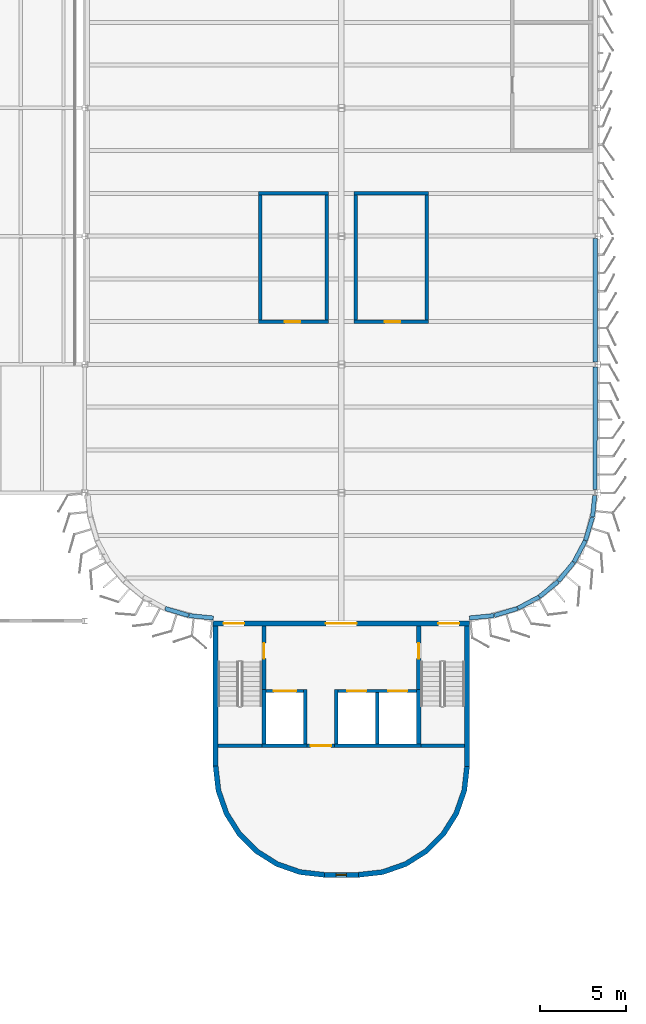
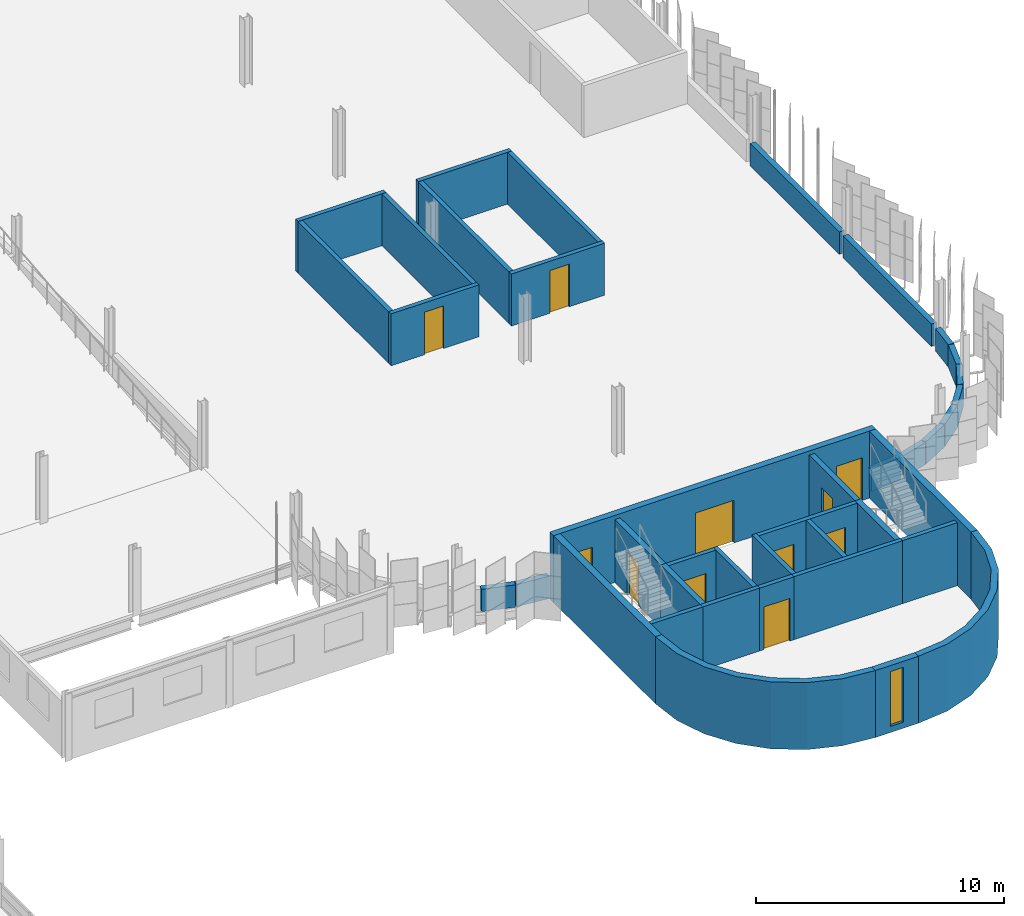
# One storey, part 75 of 214: 40 walls, 11 doors, 1 window, 12 openings.
"""IFC4 building model written with IfcOpenShell, lengths in metres."""

from ifc_helpers import new_model, si_unit, direction, frame, frame_2d, origin, place, context, subcontext, project, spatial, polyline, rectangle, outline, extrude, material, layer, layer_set, type_object, element, fill, save


model = new_model("IFC4")

# Units and contexts
model_context = context("Model", 3, precision=1e-05, world=origin(), true_north=direction((0.0, 1.0)))
body_context = subcontext(model_context, "Body", "Model", "MODEL_VIEW")
ifc_project = project(units=[si_unit("LENGTHUNIT", "METRE"), si_unit("AREAUNIT", "SQUARE_METRE"), si_unit("VOLUMEUNIT", "CUBIC_METRE"), si_unit("PLANEANGLEUNIT", "RADIAN"), si_unit("MASSUNIT", "GRAM", prefix="KILO")], contexts=[model_context])

# Site, building, storey
site_placement = place(None, origin())
site = spatial("IfcSite", under=ifc_project, at=site_placement, CompositionType="ELEMENT")
building_placement = place(site_placement, origin())
building = spatial("IfcBuilding", under=site, at=building_placement, Name="Parallax Yard Mobility Hub", CompositionType="ELEMENT")
storey_placement = place(building_placement, frame((0.0, 0.0, 3.300048828125)))
storey = spatial("IfcBuildingStorey", under=building, at=storey_placement, Name="L01", CompositionType="ELEMENT", Elevation=3.300048828125)

# Wall, openings, doors
ifc_material_1 = material(Name="Concrete fc' 35 MPa", Category="concrete")
ifc_layer_1 = layer(ifc_material_1, 0.300048828125)
ifc_layer_set_1 = layer_set([ifc_layer_1], Name="Concrete fc' 35 MPa core wall 300")
wall_type_1 = type_object("IfcWallType", Name="Concrete fc' 35 MPa core wall 300", PredefinedType="SHEAR", material=ifc_layer_set_1)
wall_1_placement = place(storey_placement, frame((202.5, 22.35009765625, 0.0), z_axis=(0.0, 0.0, 1.0), x_axis=(1.0, 0.0, 0.0)))
wall_1 = element("IfcWall", 1, at=wall_1_placement, inside=storey, type_object=wall_type_1, Name="Core C-S entry wall level L01", PredefinedType="SHEAR", context=body_context, shape_type="SweptSolid", body=[
    extrude(rectangle(XDim=15.0, YDim=0.300048828125, at=frame_2d((7.5, 0.0))), origin(), (0.0, 0.0, 1.0), 3.300048828125),
])
opening_1_placement = place(wall_1_placement, frame((13.179931640625, 0.0, 0.0)))
opening_1 = element("IfcOpeningElement", 2, at=opening_1_placement, cuts=wall_1, Name="Opening L01-D724", PredefinedType="OPENING", context=body_context, shape_type="SweptSolid", body=[
    extrude(rectangle(XDim=1.199951171875, YDim=2.10009765625, at=frame_2d((0.60009765625, 1.050048828125))), frame((0.0, 0.16015625, 0.0), z_axis=(0.0, -1.0, 0.0), x_axis=(1.0, 0.0, 0.0)), (0.0, 0.0, 1.0), 0.320068359375),
])
opening_2_placement = place(wall_1_placement, frame((0.6201171875, 0.0, 0.0)))
opening_2 = element("IfcOpeningElement", 3, at=opening_2_placement, cuts=wall_1, Name="Opening L01-D725", PredefinedType="OPENING", context=body_context, shape_type="SweptSolid", body=[
    extrude(rectangle(XDim=1.199951171875, YDim=2.10009765625, at=frame_2d((0.60009765625, 1.050048828125))), frame((0.0, 0.16015625, 0.0), z_axis=(0.0, -1.0, 0.0), x_axis=(1.0, 0.0, 0.0)), (0.0, 0.0, 1.0), 0.320068359375),
])
opening_3_placement = place(wall_1_placement, frame((6.60009765625, 0.0, 0.0)))
opening_3 = element("IfcOpeningElement", 4, at=opening_3_placement, cuts=wall_1, Name="Opening L01-D726", PredefinedType="OPENING", context=body_context, shape_type="SweptSolid", body=[
    extrude(rectangle(XDim=1.800048828125, YDim=2.10009765625, at=frame_2d((0.89990234375, 1.050048828125))), frame((0.0, 0.16015625, 0.0), z_axis=(0.0, -1.0, 0.0), x_axis=(1.0, 0.0, 0.0)), (0.0, 0.0, 1.0), 0.320068359375),
])
ifc_material_2 = material(Name="Hollow metal steel door and frame", Category="steel")
door_type_1 = type_object("IfcDoorType", Name="Core door 1200 x 2100 FD90", OperationType="NOTDEFINED", PredefinedType="DOOR", material=ifc_material_2)
door_1_placement = place(opening_1_placement, origin())
door_1 = element("IfcDoor", 5, at=door_1_placement, inside=storey, type_object=door_type_1, Name="Stair deck door L01-D724, core C-S level L01", OperationType="SINGLE_SWING_RIGHT", OverallHeight=2.10009765625, OverallWidth=1.199951171875, PredefinedType="DOOR", context=body_context, shape_type="SweptSolid", body=[
    extrude(rectangle(XDim=1.199951171875, YDim=2.10009765625, at=frame_2d((0.60009765625, 1.050048828125))), frame((0.0, 0.02490234375, 0.0), z_axis=(0.0, -1.0, 0.0), x_axis=(1.0, 0.0, 0.0)), (0.0, 0.0, 1.0), 0.050048828125),
])
fill(opening_1, door_1)
door_2_placement = place(opening_2_placement, origin())
door_2 = element("IfcDoor", 6, at=door_2_placement, inside=storey, type_object=door_type_1, Name="Stair deck door L01-D725, core C-S level L01", OperationType="SINGLE_SWING_LEFT", OverallHeight=2.10009765625, OverallWidth=1.199951171875, PredefinedType="DOOR", context=body_context, shape_type="SweptSolid", body=[
    extrude(rectangle(XDim=1.199951171875, YDim=2.10009765625, at=frame_2d((0.60009765625, 1.050048828125))), frame((0.0, 0.02490234375, 0.0), z_axis=(0.0, -1.0, 0.0), x_axis=(1.0, 0.0, 0.0)), (0.0, 0.0, 1.0), 0.050048828125),
])
fill(opening_2, door_2)
door_type_2 = type_object("IfcDoorType", Name="Core double door 1800 x 2100 FD90", OperationType="NOTDEFINED", PredefinedType="DOOR", material=ifc_material_2)
door_3_placement = place(opening_3_placement, origin())
door_3 = element("IfcDoor", 7, at=door_3_placement, inside=storey, type_object=door_type_2, Name="Lift lobby door L01-D726, core C-S level L01", OperationType="DOUBLE_DOOR_SINGLE_SWING", OverallHeight=2.10009765625, OverallWidth=1.800048828125, PredefinedType="DOOR", context=body_context, shape_type="SweptSolid", body=[
    extrude(rectangle(XDim=1.800048828125, YDim=2.10009765625, at=frame_2d((0.89990234375, 1.050048828125))), frame((0.0, 0.02490234375, 0.0), z_axis=(0.0, -1.0, 0.0), x_axis=(1.0, 0.0, 0.0)), (0.0, 0.0, 1.0), 0.050048828125),
])
fill(opening_3, door_3)

# Wall, opening, window
wall_2_placement = place(storey_placement, frame((211.0, 7.64990234375, 0.0), z_axis=(0.0, 0.0, 1.0), x_axis=(-1.0, 0.0, 0.0)))
wall_2 = element("IfcWall", 8, at=wall_2_placement, inside=storey, type_object=wall_type_1, Name="Core C-S back wall level L01", PredefinedType="SHEAR", context=body_context, shape_type="SweptSolid", body=[
    extrude(rectangle(XDim=2.0, YDim=0.300048828125, at=frame_2d((1.0, 0.0))), origin(), (0.0, 0.0, 1.0), 3.300048828125),
])
opening_4_placement = place(wall_2_placement, frame((0.699951171875, 0.0, 0.300048828125)))
opening_4 = element("IfcOpeningElement", 9, at=opening_4_placement, cuts=wall_2, Name="Opening CW-S1", PredefinedType="OPENING", context=body_context, shape_type="SweptSolid", body=[
    extrude(rectangle(XDim=0.60009765625, YDim=2.699951171875, at=frame_2d((0.300048828125, 1.35009765625))), frame((0.0, 0.16015625, 0.0), z_axis=(0.0, -1.0, 0.0), x_axis=(1.0, 0.0, 0.0)), (0.0, 0.0, 1.0), 0.320068359375),
])
ifc_material_3 = material(Name="Fire-resisting glazing in a steel frame", Category="steel")
window_type = type_object("IfcWindowType", Name="Core slot window 600 x 2700", PartitioningType="SINGLE_PANEL", PredefinedType="WINDOW", material=ifc_material_3)
window_placement = place(opening_4_placement, origin())
window = element("IfcWindow", 10, at=window_placement, inside=storey, type_object=window_type, Name="Glazed slot 1, core C-S level L01", OverallHeight=2.699951171875, OverallWidth=0.60009765625, PartitioningType="SINGLE_PANEL", PredefinedType="WINDOW", context=body_context, shape_type="SweptSolid", body=[
    extrude(rectangle(XDim=0.60009765625, YDim=2.699951171875, at=frame_2d((0.300048828125, 1.35009765625))), frame((0.0, 0.030029296875, 0.0), z_axis=(0.0, -1.0, 0.0), x_axis=(1.0, 0.0, 0.0)), (0.0, 0.0, 1.0), 0.06005859375),
])
fill(opening_4, window)

# Walls
for number, where, z_axis, x_axis, name in (
    (11, (217.35009765625, 22.199951171875, 0.0), (0.0, 0.0, 1.0), (0.0, -1.0, 0.0), "Core C-S west-side end wall level L01"),
    (12, (202.64990234375, 14.0, 0.0), (0.0, 0.0, 1.0), (0.0, 1.0, 0.0), "Core C-S east-side end wall level L01"),
):
    element("IfcWall", number, at=place(storey_placement, frame(where, z_axis=z_axis, x_axis=x_axis)), inside=storey, type_object=wall_type_1, Name=name, PredefinedType="SHEAR", context=body_context, shape_type="SweptSolid", body=[
        extrude(rectangle(XDim=8.199951171875, YDim=0.300048828125, at=frame_2d((4.10009765625, 0.0))), origin(), (0.0, 0.0, 1.0), 3.300048828125),
    ])
wall_3_placement = place(storey_placement, origin())
element("IfcWall", 13, at=wall_3_placement, inside=storey, type_object=wall_type_1, Name="Core C-S rounded corner west level L01", PredefinedType="SHEAR", context=body_context, shape_type="SweptSolid", body=[
    extrude(outline(polyline([(217.5, 14.0), (217.3369140625, 12.5537109375), (216.856201171875, 11.1796875), (216.081787109375, 9.947265625), (215.052734375, 8.918212890625), (213.8203125, 8.143798828125), (212.4462890625, 7.6630859375), (211.0, 7.5), (211.0, 7.800048828125), (212.379638671875, 7.955322265625), (213.690185546875, 8.4140625), (214.865478515625, 9.152587890625), (215.847412109375, 10.134521484375), (216.5859375, 11.309814453125), (217.044677734375, 12.620361328125), (217.199951171875, 14.0), (217.5, 14.0)])), origin(), (0.0, 0.0, 1.0), 3.300048828125),
])
wall_4_placement = place(storey_placement, origin())
element("IfcWall", 14, at=wall_4_placement, inside=storey, type_object=wall_type_1, Name="Core C-S rounded corner east level L01", PredefinedType="SHEAR", context=body_context, shape_type="SweptSolid", body=[
    extrude(outline(polyline([(202.5, 14.0), (202.6630859375, 12.5537109375), (203.143798828125, 11.1796875), (203.918212890625, 9.947265625), (204.947265625, 8.918212890625), (206.1796875, 8.143798828125), (207.5537109375, 7.6630859375), (209.0, 7.5), (209.0, 7.800048828125), (207.620361328125, 7.955322265625), (206.309814453125, 8.4140625), (205.134521484375, 9.152587890625), (204.152587890625, 10.134521484375), (203.4140625, 11.309814453125), (202.955322265625, 12.620361328125), (202.800048828125, 14.0), (202.5, 14.0)])), origin(), (0.0, 0.0, 1.0), 3.300048828125),
])

# Wall, openings, doors
ifc_layer_2 = layer(ifc_material_1, 0.199951171875)
ifc_layer_set_2 = layer_set([ifc_layer_2], Name="Concrete fc' 35 MPa internal core wall 200")
wall_type_2 = type_object("IfcWallType", Name="Concrete fc' 35 MPa internal core wall 200", PredefinedType="STANDARD", material=ifc_layer_set_2)
wall_5_placement = place(storey_placement, frame((214.39990234375, 18.39990234375, 0.0), z_axis=(0.0, 0.0, 1.0), x_axis=(-1.0, 0.0, 0.0)))
wall_5 = element("IfcWall", 15, at=wall_5_placement, inside=storey, type_object=wall_type_2, Name="Core C-S lift front 1 part 1 level L01", PredefinedType="STANDARD", context=body_context, shape_type="SweptSolid", body=[
    extrude(rectangle(XDim=4.599853515625, YDim=0.199951171875, at=frame_2d((2.2998046875, 0.0))), origin(), (0.0, 0.0, 1.0), 3.099853515625),
])
opening_5_placement = place(wall_5_placement, frame((0.550048828125, 0.0, 0.0)))
opening_5 = element("IfcOpeningElement", 16, at=opening_5_placement, cuts=wall_5, Name="Opening L01-D729", PredefinedType="OPENING", context=body_context, shape_type="SweptSolid", body=[
    extrude(rectangle(XDim=1.10009765625, YDim=2.10009765625, at=frame_2d((0.550048828125, 1.050048828125))), frame((0.0, 0.10986328125, 0.0), z_axis=(0.0, -1.0, 0.0), x_axis=(1.0, 0.0, 0.0)), (0.0, 0.0, 1.0), 0.219970703125),
])
opening_6_placement = place(wall_5_placement, frame((2.949951171875, 0.0, 0.0)))
opening_6 = element("IfcOpeningElement", 17, at=opening_6_placement, cuts=wall_5, Name="Opening L01-D730", PredefinedType="OPENING", context=body_context, shape_type="SweptSolid", body=[
    extrude(rectangle(XDim=1.10009765625, YDim=2.10009765625, at=frame_2d((0.550048828125, 1.050048828125))), frame((0.0, 0.10986328125, 0.0), z_axis=(0.0, -1.0, 0.0), x_axis=(1.0, 0.0, 0.0)), (0.0, 0.0, 1.0), 0.219970703125),
])
ifc_material_4 = material(Name="Stainless steel sliding door and frame", Category="steel")
door_type_3 = type_object("IfcDoorType", Name="Lift landing door 1100 x 2100 FD90", OperationType="DOUBLE_DOOR_SLIDING", PredefinedType="DOOR", material=ifc_material_4)
door_4_placement = place(opening_5_placement, origin())
door_4 = element("IfcDoor", 18, at=door_4_placement, inside=storey, type_object=door_type_3, Name="Lift landing door L01-D729, core C-S level L01", OperationType="DOUBLE_DOOR_SLIDING", OverallHeight=2.10009765625, OverallWidth=1.10009765625, PredefinedType="DOOR", context=body_context, shape_type="SweptSolid", body=[
    extrude(rectangle(XDim=1.10009765625, YDim=2.10009765625, at=frame_2d((0.550048828125, 1.050048828125))), frame((0.0, 0.02490234375, 0.0), z_axis=(0.0, -1.0, 0.0), x_axis=(1.0, 0.0, 0.0)), (0.0, 0.0, 1.0), 0.050048828125),
])
fill(opening_5, door_4)
door_5_placement = place(opening_6_placement, origin())
door_5 = element("IfcDoor", 19, at=door_5_placement, inside=storey, type_object=door_type_3, Name="Lift landing door L01-D730, core C-S level L01", OperationType="DOUBLE_DOOR_SLIDING", OverallHeight=2.10009765625, OverallWidth=1.10009765625, PredefinedType="DOOR", context=body_context, shape_type="SweptSolid", body=[
    extrude(rectangle(XDim=1.10009765625, YDim=2.10009765625, at=frame_2d((0.550048828125, 1.050048828125))), frame((0.0, 0.02490234375, 0.0), z_axis=(0.0, -1.0, 0.0), x_axis=(1.0, 0.0, 0.0)), (0.0, 0.0, 1.0), 0.050048828125),
])
fill(opening_6, door_5)

# Wall, opening, door
wall_6_placement = place(storey_placement, frame((207.800048828125, 18.39990234375, 0.0), z_axis=(0.0, 0.0, 1.0), x_axis=(-1.0, 0.0, 0.0)))
wall_6 = element("IfcWall", 20, at=wall_6_placement, inside=storey, type_object=wall_type_2, Name="Core C-S lift front 2 part 2 level L01", PredefinedType="STANDARD", context=body_context, shape_type="SweptSolid", body=[
    extrude(rectangle(XDim=2.199951171875, YDim=0.199951171875, at=frame_2d((1.10009765625, 0.0))), origin(), (0.0, 0.0, 1.0), 3.099853515625),
])
opening_7_placement = place(wall_6_placement, frame((0.449951171875, 0.0, 0.0)))
opening_7 = element("IfcOpeningElement", 21, at=opening_7_placement, cuts=wall_6, Name="Opening L01-D731", PredefinedType="OPENING", context=body_context, shape_type="SweptSolid", body=[
    extrude(rectangle(XDim=1.300048828125, YDim=2.10009765625, at=frame_2d((0.64990234375, 1.050048828125))), frame((0.0, 0.10986328125, 0.0), z_axis=(0.0, -1.0, 0.0), x_axis=(1.0, 0.0, 0.0)), (0.0, 0.0, 1.0), 0.219970703125),
])
door_type_4 = type_object("IfcDoorType", Name="Goods lift landing door 1300 x 2100 FD90", OperationType="DOUBLE_DOOR_SLIDING", PredefinedType="DOOR", material=ifc_material_4)
door_6_placement = place(opening_7_placement, origin())
door_6 = element("IfcDoor", 22, at=door_6_placement, inside=storey, type_object=door_type_4, Name="Lift landing door L01-D731, core C-S level L01", OperationType="DOUBLE_DOOR_SLIDING", OverallHeight=2.10009765625, OverallWidth=1.300048828125, PredefinedType="DOOR", context=body_context, shape_type="SweptSolid", body=[
    extrude(rectangle(XDim=1.300048828125, YDim=2.10009765625, at=frame_2d((0.64990234375, 1.050048828125))), frame((0.0, 0.02490234375, 0.0), z_axis=(0.0, -1.0, 0.0), x_axis=(1.0, 0.0, 0.0)), (0.0, 0.0, 1.0), 0.050048828125),
])
fill(opening_7, door_6)

# Walls
wall_7_placement = place(storey_placement, frame((212.10009765625, 18.300048828125, 0.0), z_axis=(0.0, 0.0, 1.0), x_axis=(0.0, -1.0, 0.0)))
element("IfcWall", 23, at=wall_7_placement, inside=storey, type_object=wall_type_2, Name="Core C-S lift wall 1 part 1 level L01", PredefinedType="STANDARD", context=body_context, shape_type="SweptSolid", body=[
    extrude(rectangle(XDim=3.0, YDim=0.199951171875, at=frame_2d((1.5, 0.0))), origin(), (0.0, 0.0, 1.0), 3.099853515625),
])
for number, where, z_axis, x_axis, name in (
    (24, (209.699951171875, 18.5, 0.0), (0.0, 0.0, 1.0), (0.0, -1.0, 0.0), "Core C-S lift wall 2 part 2 level L01"),
    (25, (207.89990234375, 18.5, 0.0), (0.0, 0.0, 1.0), (0.0, -1.0, 0.0), "Core C-S lift wall 3 part 3 level L01"),
):
    element("IfcWall", number, at=place(storey_placement, frame(where, z_axis=z_axis, x_axis=x_axis)), inside=storey, type_object=wall_type_2, Name=name, PredefinedType="STANDARD", context=body_context, shape_type="SweptSolid", body=[
        extrude(rectangle(XDim=3.199951171875, YDim=0.199951171875, at=frame_2d((1.60009765625, 0.0))), origin(), (0.0, 0.0, 1.0), 3.099853515625),
    ])
wall_8_placement = place(storey_placement, frame((217.199951171875, 15.199951171875, 0.0), z_axis=(0.0, 0.0, 1.0), x_axis=(-1.0, 0.0, 0.0)))
element("IfcWall", 26, at=wall_8_placement, inside=storey, type_object=wall_type_2, Name="Core C-S plant wall 1 part 1 level L01", PredefinedType="STANDARD", context=body_context, shape_type="SweptSolid", body=[
    extrude(rectangle(XDim=2.550048828125, YDim=0.199951171875, at=frame_2d((1.27490234375, 0.0))), origin(), (0.0, 0.0, 1.0), 3.099853515625),
])
wall_9_placement = place(storey_placement, frame((214.64990234375, 15.199951171875, 0.0), z_axis=(0.0, 0.0, 1.0), x_axis=(-1.0, 0.0, 0.0)))
element("IfcWall", 27, at=wall_9_placement, inside=storey, type_object=wall_type_2, Name="Core C-S plant wall 2 part 2 level L01", PredefinedType="STANDARD", context=body_context, shape_type="SweptSolid", body=[
    extrude(rectangle(XDim=5.0498046875, YDim=0.199951171875, at=frame_2d((2.52490234375, 0.0))), origin(), (0.0, 0.0, 1.0), 3.099853515625),
])

# Wall, opening, door
wall_10_placement = place(storey_placement, frame((209.60009765625, 15.199951171875, 0.0), z_axis=(0.0, 0.0, 1.0), x_axis=(-1.0, 0.0, 0.0)))
wall_10 = element("IfcWall", 28, at=wall_10_placement, inside=storey, type_object=wall_type_2, Name="Core C-S plant wall 3 part 3 level L01", PredefinedType="STANDARD", context=body_context, shape_type="SweptSolid", body=[
    extrude(rectangle(XDim=1.60009765625, YDim=0.199951171875, at=frame_2d((0.800048828125, 0.0))), origin(), (0.0, 0.0, 1.0), 3.099853515625),
])
opening_8_placement = place(wall_10_placement, frame((0.199951171875, 0.0, 0.0)))
opening_8 = element("IfcOpeningElement", 29, at=opening_8_placement, cuts=wall_10, Name="Opening L01-D732", PredefinedType="OPENING", context=body_context, shape_type="SweptSolid", body=[
    extrude(rectangle(XDim=1.199951171875, YDim=2.10009765625, at=frame_2d((0.60009765625, 1.050048828125))), frame((0.0, 0.10986328125, 0.0), z_axis=(0.0, -1.0, 0.0), x_axis=(1.0, 0.0, 0.0)), (0.0, 0.0, 1.0), 0.219970703125),
])
door_7_placement = place(opening_8_placement, origin())
door_7 = element("IfcDoor", 30, at=door_7_placement, inside=storey, type_object=door_type_1, Name="Plant room door L01-D732, core C-S level L01", OperationType="SINGLE_SWING_RIGHT", OverallHeight=2.10009765625, OverallWidth=1.199951171875, PredefinedType="DOOR", context=body_context, shape_type="SweptSolid", body=[
    extrude(rectangle(XDim=1.199951171875, YDim=2.10009765625, at=frame_2d((0.60009765625, 1.050048828125))), frame((0.0, 0.02490234375, 0.0), z_axis=(0.0, -1.0, 0.0), x_axis=(1.0, 0.0, 0.0)), (0.0, 0.0, 1.0), 0.050048828125),
])
fill(opening_8, door_7)

# Walls
wall_11_placement = place(storey_placement, frame((208.0, 15.199951171875, 0.0), z_axis=(0.0, 0.0, 1.0), x_axis=(-1.0, 0.0, 0.0)))
element("IfcWall", 31, at=wall_11_placement, inside=storey, type_object=wall_type_2, Name="Core C-S plant wall 4 part 4 level L01", PredefinedType="STANDARD", context=body_context, shape_type="SweptSolid", body=[
    extrude(rectangle(XDim=2.64990234375, YDim=0.199951171875, at=frame_2d((1.324951171875, 0.0))), origin(), (0.0, 0.0, 1.0), 3.099853515625),
])
wall_12_placement = place(storey_placement, frame((205.35009765625, 15.199951171875, 0.0), z_axis=(0.0, 0.0, 1.0), x_axis=(-1.0, 0.0, 0.0)))
element("IfcWall", 32, at=wall_12_placement, inside=storey, type_object=wall_type_2, Name="Core C-S plant wall 5 part 5 level L01", PredefinedType="STANDARD", context=body_context, shape_type="SweptSolid", body=[
    extrude(rectangle(XDim=2.550048828125, YDim=0.199951171875, at=frame_2d((1.27490234375, 0.0))), origin(), (0.0, 0.0, 1.0), 3.099853515625),
])

# Wall, opening, door
ifc_layer_3 = layer(ifc_material_1, 0.25)
ifc_layer_set_3 = layer_set([ifc_layer_3], Name="Concrete fc' 35 MPa stair enclosure wall 250")
wall_type_3 = type_object("IfcWallType", Name="Concrete fc' 35 MPa stair enclosure wall 250", PredefinedType="STANDARD", material=ifc_layer_set_3)
wall_13_placement = place(storey_placement, frame((214.52490234375, 22.199951171875, 0.0), z_axis=(0.0, 0.0, 1.0), x_axis=(0.0, -1.0, 0.0)))
wall_13 = element("IfcWall", 33, at=wall_13_placement, inside=storey, type_object=wall_type_3, Name="Core C-S stair 1 partition 1 part 1 level L01", PredefinedType="STANDARD", context=body_context, shape_type="SweptSolid", body=[
    extrude(rectangle(XDim=3.699951171875, YDim=0.25, at=frame_2d((1.85009765625, 0.0))), origin(), (0.0, 0.0, 1.0), 3.099853515625),
])
opening_9_placement = place(wall_13_placement, frame((1.0, 0.0, 0.0)))
opening_9 = element("IfcOpeningElement", 34, at=opening_9_placement, cuts=wall_13, Name="Opening L01-D727", PredefinedType="OPENING", context=body_context, shape_type="SweptSolid", body=[
    extrude(rectangle(XDim=0.89990234375, YDim=2.10009765625, at=frame_2d((0.449951171875, 1.050048828125))), frame((0.0, 0.135009765625, 0.0), z_axis=(0.0, -1.0, 0.0), x_axis=(1.0, 0.0, 0.0)), (0.0, 0.0, 1.0), 0.27001953125),
])
door_type_5 = type_object("IfcDoorType", Name="Core door 900 x 2100 FD90", OperationType="NOTDEFINED", PredefinedType="DOOR", material=ifc_material_2)
door_8_placement = place(opening_9_placement, origin())
door_8 = element("IfcDoor", 35, at=door_8_placement, inside=storey, type_object=door_type_5, Name="Stair lobby door L01-D727, core C-S level L01", OperationType="SINGLE_SWING_LEFT", OverallHeight=2.10009765625, OverallWidth=0.89990234375, PredefinedType="DOOR", context=body_context, shape_type="SweptSolid", body=[
    extrude(rectangle(XDim=0.89990234375, YDim=2.10009765625, at=frame_2d((0.449951171875, 1.050048828125))), frame((0.0, 0.02490234375, 0.0), z_axis=(0.0, -1.0, 0.0), x_axis=(1.0, 0.0, 0.0)), (0.0, 0.0, 1.0), 0.050048828125),
])
fill(opening_9, door_8)

# Wall
wall_14_placement = place(storey_placement, frame((214.52490234375, 18.5, 0.0), z_axis=(0.0, 0.0, 1.0), x_axis=(0.0, -1.0, 0.0)))
element("IfcWall", 36, at=wall_14_placement, inside=storey, type_object=wall_type_3, Name="Core C-S stair 1 partition 2 part 2 level L01", PredefinedType="STANDARD", context=body_context, shape_type="SweptSolid", body=[
    extrude(rectangle(XDim=3.199951171875, YDim=0.25, at=frame_2d((1.60009765625, 0.0))), origin(), (0.0, 0.0, 1.0), 3.099853515625),
])

# Wall, opening, door
wall_15_placement = place(storey_placement, frame((205.47509765625, 18.5, 0.0), z_axis=(0.0, 0.0, 1.0), x_axis=(0.0, 1.0, 0.0)))
wall_15 = element("IfcWall", 37, at=wall_15_placement, inside=storey, type_object=wall_type_3, Name="Core C-S stair 2 partition 1 part 1 level L01", PredefinedType="STANDARD", context=body_context, shape_type="SweptSolid", body=[
    extrude(rectangle(XDim=3.699951171875, YDim=0.25, at=frame_2d((1.85009765625, 0.0))), origin(), (0.0, 0.0, 1.0), 3.099853515625),
])
opening_10_placement = place(wall_15_placement, frame((1.800048828125, 0.0, 0.0)))
opening_10 = element("IfcOpeningElement", 38, at=opening_10_placement, cuts=wall_15, Name="Opening L01-D728", PredefinedType="OPENING", context=body_context, shape_type="SweptSolid", body=[
    extrude(rectangle(XDim=0.89990234375, YDim=2.10009765625, at=frame_2d((0.449951171875, 1.050048828125))), frame((0.0, 0.135009765625, 0.0), z_axis=(0.0, -1.0, 0.0), x_axis=(1.0, 0.0, 0.0)), (0.0, 0.0, 1.0), 0.27001953125),
])
door_9_placement = place(opening_10_placement, origin())
door_9 = element("IfcDoor", 39, at=door_9_placement, inside=storey, type_object=door_type_5, Name="Stair lobby door L01-D728, core C-S level L01", OperationType="SINGLE_SWING_RIGHT", OverallHeight=2.10009765625, OverallWidth=0.89990234375, PredefinedType="DOOR", context=body_context, shape_type="SweptSolid", body=[
    extrude(rectangle(XDim=0.89990234375, YDim=2.10009765625, at=frame_2d((0.449951171875, 1.050048828125))), frame((0.0, 0.02490234375, 0.0), z_axis=(0.0, -1.0, 0.0), x_axis=(1.0, 0.0, 0.0)), (0.0, 0.0, 1.0), 0.050048828125),
])
fill(opening_10, door_9)

# Walls
wall_16_placement = place(storey_placement, frame((205.47509765625, 18.5, 0.0), z_axis=(0.0, 0.0, 1.0), x_axis=(0.0, -1.0, 0.0)))
element("IfcWall", 40, at=wall_16_placement, inside=storey, type_object=wall_type_3, Name="Core C-S stair 2 partition 2 part 2 level L01", PredefinedType="STANDARD", context=body_context, shape_type="SweptSolid", body=[
    extrude(rectangle(XDim=3.199951171875, YDim=0.25, at=frame_2d((1.60009765625, 0.0))), origin(), (0.0, 0.0, 1.0), 3.099853515625),
])
ifc_layer_4 = layer(ifc_material_1, 0.25)
ifc_layer_set_4 = layer_set([ifc_layer_4], Name="Deck-edge barrier wall, Concrete fc' 35 MPa precast, 250")
wall_type_4 = type_object("IfcWallType", Name="Deck-edge barrier wall, Concrete fc' 35 MPa precast, 250", PredefinedType="SOLIDWALL", material=ifc_layer_set_4)
wall_17_placement = place(storey_placement, frame((199.7041015625, 23.2255859375, 0.0), z_axis=(0.0, 0.0, 1.0), x_axis=(0.956820439927, -0.290679627319, 0.0)))
element("IfcWall", 41, at=wall_17_placement, inside=storey, type_object=wall_type_4, Name="Deck-edge barrier wall bay 30-7 level L01", PredefinedType="SOLIDWALL", context=body_context, shape_type="SweptSolid", body=[
    extrude(rectangle(XDim=1.4111328125, YDim=0.25, at=frame_2d((0.70556640625, 0.0))), origin(), (0.0, 0.0, 1.0), 1.099853515625),
])
wall_18_placement = place(storey_placement, frame((201.078857421875, 22.810546875, 0.0), z_axis=(0.0, 0.0, 1.0), x_axis=(0.995137391066, -0.098496562898, 0.0)))
element("IfcWall", 42, at=wall_18_placement, inside=storey, type_object=wall_type_4, Name="Deck-edge barrier wall bay 30-8 level L01", PredefinedType="SOLIDWALL", context=body_context, shape_type="SweptSolid", body=[
    extrude(rectangle(XDim=1.440185546875, YDim=0.25, at=frame_2d((0.72021484375, 0.0))), origin(), (0.0, 0.0, 1.0), 1.099853515625),
])
wall_19_placement = place(storey_placement, frame((217.488525390625, 22.668701171875, 0.0), z_axis=(0.0, 0.0, 1.0), x_axis=(0.995122410186, 0.098647801521, 0.0)))
element("IfcWall", 43, at=wall_19_placement, inside=storey, type_object=wall_type_4, Name="Deck-edge barrier wall bay 32-1 level L01", PredefinedType="SOLIDWALL", context=body_context, shape_type="SweptSolid", body=[
    extrude(rectangle(XDim=1.4404296875, YDim=0.25, at=frame_2d((0.72021484375, 0.0))), origin(), (0.0, 0.0, 1.0), 1.099853515625),
])
wall_20_placement = place(storey_placement, frame((218.946533203125, 22.815673828125, 0.0), z_axis=(0.0, 0.0, 1.0), x_axis=(0.956757668094, 0.29088617111, 0.0)))
element("IfcWall", 44, at=wall_20_placement, inside=storey, type_object=wall_type_4, Name="Deck-edge barrier wall bay 32-2 level L01", PredefinedType="SOLIDWALL", context=body_context, shape_type="SweptSolid", body=[
    extrude(rectangle(XDim=1.410888671875, YDim=0.25, at=frame_2d((0.70556640625, 0.0))), origin(), (0.0, 0.0, 1.0), 1.099853515625),
])
for number, where, z_axis, x_axis, name in (
    (45, (220.31982421875, 23.235595703125, 0.0), (0.0, 0.0, 1.0), (0.881695934993, 0.471818056265, 0.0), "Deck-edge barrier wall bay 32-3 level L01"),
    (46, (221.584716796875, 23.915283203125, 0.0), (0.0, 0.0, 1.0), (0.772838376531, 0.634602902421, 0.0), "Deck-edge barrier wall bay 32-4 level L01"),
    (47, (222.693115234375, 24.82861328125, 0.0), (0.0, 0.0, 1.0), (0.634123039097, 0.773232158725, 0.0), "Deck-edge barrier wall bay 32-5 level L01"),
):
    element("IfcWall", number, at=place(storey_placement, frame(where, z_axis=z_axis, x_axis=x_axis)), inside=storey, type_object=wall_type_4, Name=name, PredefinedType="SOLIDWALL", context=body_context, shape_type="SweptSolid", body=[
        extrude(rectangle(XDim=1.4111328125, YDim=0.25, at=frame_2d((0.70556640625, 0.0))), origin(), (0.0, 0.0, 1.0), 1.099853515625),
    ])
for number, where, z_axis, x_axis, name in (
    (48, (223.601806640625, 25.940673828125, 0.0), (0.0, 0.0, 1.0), (0.471207856165, 0.882022197163, 0.0), "Deck-edge barrier wall bay 32-6 level L01"),
    (49, (224.2763671875, 27.20849609375, 0.0), (0.0, 0.0, 1.0), (0.290204307741, 0.956964711872, 0.0), "Deck-edge barrier wall bay 32-7 level L01"),
):
    element("IfcWall", number, at=place(storey_placement, frame(where, z_axis=z_axis, x_axis=x_axis)), inside=storey, type_object=wall_type_4, Name=name, PredefinedType="SOLIDWALL", context=body_context, shape_type="SweptSolid", body=[
        extrude(rectangle(XDim=1.410888671875, YDim=0.25, at=frame_2d((0.70556640625, 0.0))), origin(), (0.0, 0.0, 1.0), 1.099853515625),
    ])
wall_21_placement = place(storey_placement, frame((224.690673828125, 28.58349609375, 0.0), z_axis=(0.0, 0.0, 1.0), x_axis=(0.098080626126, 0.995178471822, 0.0)))
element("IfcWall", 50, at=wall_21_placement, inside=storey, type_object=wall_type_4, Name="Deck-edge barrier wall bay 32-8 level L01", PredefinedType="SOLIDWALL", context=body_context, shape_type="SweptSolid", body=[
    extrude(rectangle(XDim=1.257080078125, YDim=0.25, at=frame_2d((0.62841796875, 0.0))), origin(), (0.0, 0.0, 1.0), 1.099853515625),
])
wall_22_placement = place(storey_placement, frame((224.8310546875, 30.18310546875, 0.0), z_axis=(0.0, 0.0, 1.0), x_axis=(0.002998385104, 0.999995504833, 0.0)))
element("IfcWall", 51, at=wall_22_placement, inside=storey, type_object=wall_type_4, Name="Deck-edge barrier wall bay 33 level L01", PredefinedType="SOLIDWALL", context=body_context, shape_type="SweptSolid", body=[
    extrude(rectangle(XDim=7.165283203125, YDim=0.25, at=frame_2d((3.58251953125, 0.0))), origin(), (0.0, 0.0, 1.0), 1.099853515625),
])
wall_23_placement = place(storey_placement, frame((224.8525390625, 37.651611328125, 0.0), z_axis=(0.0, 0.0, 1.0), x_axis=(0.0, 1.0, 0.0)))
element("IfcWall", 52, at=wall_23_placement, inside=storey, type_object=wall_type_4, Name="Deck-edge barrier wall bay 34 level L01", PredefinedType="SOLIDWALL", context=body_context, shape_type="SweptSolid", body=[
    extrude(rectangle(XDim=7.19677734375, YDim=0.25, at=frame_2d((3.598388671875, 0.0))), origin(), (0.0, 0.0, 1.0), 1.099853515625),
])

# Wall, opening, door
ifc_material_5 = material(Name="Fire-rated plasterboard partition, two layers each side")
ifc_layer_5 = layer(ifc_material_5, 0.199951171875)
ifc_layer_set_5 = layer_set([ifc_layer_5], Name="Fire-rated partition 200 mm")
wall_type_5 = type_object("IfcWallType", Name="Fire-rated partition 200 mm", PredefinedType="PARTITIONING", material=ifc_layer_set_5)
wall_24_placement = place(storey_placement, frame((205.14990234375, 40.0, 0.0), z_axis=(0.0, 0.0, 1.0), x_axis=(1.0, 0.0, 0.0)))
wall_24 = element("IfcWall", 53, at=wall_24_placement, inside=storey, type_object=wall_type_5, Name="Partition 25 level L01", PredefinedType="PARTITIONING", context=body_context, shape_type="SweptSolid", body=[
    extrude(rectangle(XDim=4.10009765625, YDim=0.199951171875, at=frame_2d((2.050048828125, 0.0))), origin(), (0.0, 0.0, 1.0), 2.557861328125),
])
opening_11_placement = place(wall_24_placement, frame((1.550048828125, 0.0, 0.0)))
opening_11 = element("IfcOpeningElement", 54, at=opening_11_placement, cuts=wall_24, Name="Opening L01-D217", PredefinedType="OPENING", context=body_context, shape_type="SweptSolid", body=[
    extrude(rectangle(XDim=0.89990234375, YDim=2.10009765625, at=frame_2d((0.449951171875, 1.050048828125))), frame((0.0, 0.10986328125, 0.0), z_axis=(0.0, -1.0, 0.0), x_axis=(1.0, 0.0, 0.0)), (0.0, 0.0, 1.0), 0.219970703125),
])
ifc_material_6 = material(Name="Hollow metal fire door leaf with intumescent seals")
door_type_6 = type_object("IfcDoorType", Name="Fire door 900 mm FD60", OperationType="NOTDEFINED", PredefinedType="DOOR", material=ifc_material_6)
door_10_placement = place(opening_11_placement, origin())
door_10 = element("IfcDoor", 55, at=door_10_placement, inside=storey, type_object=door_type_6, Name="Door L01-D217 Men's WC", OperationType="SINGLE_SWING_LEFT", OverallHeight=2.10009765625, OverallWidth=0.89990234375, PredefinedType="DOOR", context=body_context, shape_type="SweptSolid", body=[
    extrude(rectangle(XDim=0.89990234375, YDim=2.10009765625, at=frame_2d((0.449951171875, 1.050048828125))), frame((0.0, 0.02490234375, 0.0), z_axis=(0.0, -1.0, 0.0), x_axis=(1.0, 0.0, 0.0)), (0.0, 0.0, 1.0), 0.050048828125),
])
fill(opening_11, door_10)

wall_25_placement = place(storey_placement, frame((210.75, 40.0, 0.0), z_axis=(0.0, 0.0, 1.0), x_axis=(1.0, 0.0, 0.0)))
wall_25 = element("IfcWall", 56, at=wall_25_placement, inside=storey, type_object=wall_type_5, Name="Partition 26 level L01", PredefinedType="PARTITIONING", context=body_context, shape_type="SweptSolid", body=[
    extrude(rectangle(XDim=4.35009765625, YDim=0.199951171875, at=frame_2d((2.175048828125, 0.0))), origin(), (0.0, 0.0, 1.0), 2.557861328125),
])
opening_12_placement = place(wall_25_placement, frame((1.800048828125, 0.0, 0.0)))
opening_12 = element("IfcOpeningElement", 57, at=opening_12_placement, cuts=wall_25, Name="Opening L01-D218", PredefinedType="OPENING", context=body_context, shape_type="SweptSolid", body=[
    extrude(rectangle(XDim=0.89990234375, YDim=2.10009765625, at=frame_2d((0.449951171875, 1.050048828125))), frame((0.0, 0.10986328125, 0.0), z_axis=(0.0, -1.0, 0.0), x_axis=(1.0, 0.0, 0.0)), (0.0, 0.0, 1.0), 0.219970703125),
])
door_11_placement = place(opening_12_placement, origin())
door_11 = element("IfcDoor", 58, at=door_11_placement, inside=storey, type_object=door_type_6, Name="Door L01-D218 Women's WC", OperationType="SINGLE_SWING_RIGHT", OverallHeight=2.10009765625, OverallWidth=0.89990234375, PredefinedType="DOOR", context=body_context, shape_type="SweptSolid", body=[
    extrude(rectangle(XDim=0.89990234375, YDim=2.10009765625, at=frame_2d((0.449951171875, 1.050048828125))), frame((0.0, 0.02490234375, 0.0), z_axis=(0.0, -1.0, 0.0), x_axis=(1.0, 0.0, 0.0)), (0.0, 0.0, 1.0), 0.050048828125),
])
fill(opening_12, door_11)

# Walls
wall_26_placement = place(storey_placement, frame((205.14990234375, 47.5, 0.0), z_axis=(0.0, 0.0, 1.0), x_axis=(1.0, 0.0, 0.0)))
element("IfcWall", 59, at=wall_26_placement, inside=storey, type_object=wall_type_5, Name="Partition 29 level L01", PredefinedType="PARTITIONING", context=body_context, shape_type="SweptSolid", body=[
    extrude(rectangle(XDim=4.10009765625, YDim=0.199951171875, at=frame_2d((2.050048828125, 0.0))), origin(), (0.0, 0.0, 1.0), 2.557861328125),
])
wall_27_placement = place(storey_placement, frame((210.75, 47.5, 0.0), z_axis=(0.0, 0.0, 1.0), x_axis=(1.0, 0.0, 0.0)))
element("IfcWall", 60, at=wall_27_placement, inside=storey, type_object=wall_type_5, Name="Partition 30 level L01", PredefinedType="PARTITIONING", context=body_context, shape_type="SweptSolid", body=[
    extrude(rectangle(XDim=4.35009765625, YDim=0.199951171875, at=frame_2d((2.175048828125, 0.0))), origin(), (0.0, 0.0, 1.0), 2.557861328125),
])
for number, where, z_axis, x_axis, name in (
    (61, (205.25, 40.10009765625, 0.0), (0.0, 0.0, 1.0), (0.0, 1.0, 0.0), "Partition 73 level L01"),
    (62, (209.14990234375, 40.10009765625, 0.0), (0.0, 0.0, 1.0), (0.0, 1.0, 0.0), "Partition 74 level L01"),
    (63, (210.85009765625, 40.10009765625, 0.0), (0.0, 0.0, 1.0), (0.0, 1.0, 0.0), "Partition 75 level L01"),
    (64, (215.0, 40.10009765625, 0.0), (0.0, 0.0, 1.0), (0.0, 1.0, 0.0), "Partition 76 level L01"),
):
    element("IfcWall", number, at=place(storey_placement, frame(where, z_axis=z_axis, x_axis=x_axis)), inside=storey, type_object=wall_type_5, Name=name, PredefinedType="PARTITIONING", context=body_context, shape_type="SweptSolid", body=[
        extrude(rectangle(XDim=7.2998046875, YDim=0.199951171875, at=frame_2d((3.64990234375, 0.0))), origin(), (0.0, 0.0, 1.0), 2.5478515625),
    ])

save(model, "model.ifc")
